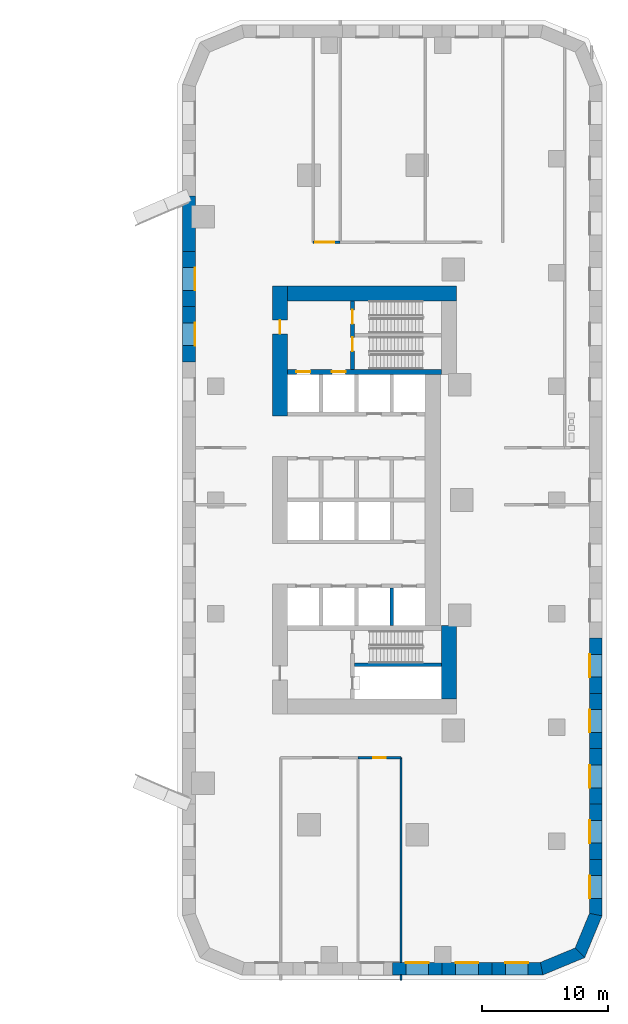
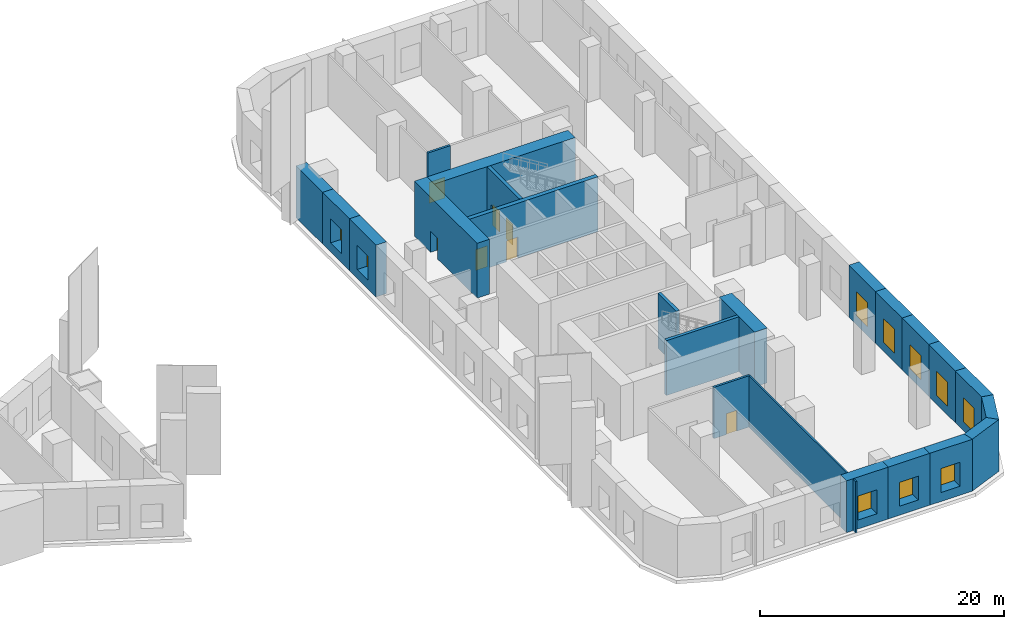
# One storey, part 4 of 13: 24 walls, 10 windows, 7 doors, 17 openings.
"""IFC4 building model written with IfcOpenShell, lengths in metres."""

import ifcopenshell
import ifcopenshell.guid

model = None  # the IFC model being written
_history = None  # IfcOwnerHistory: only IFC2X3 demands one
_inside = {}  # id of a spatial element -> (the spatial element, [elements in it])
_under = {}  # id of a project, library or spatial element -> (it, [spatial elements below it])
_declared = {}  # id of a project -> (the project, [libraries it declares])
_typed = {}  # id of a type object -> (the type object, [elements of that type])
_made_of = {}  # id of a material, layer set ... -> (it, [elements and type objects made of it])


def new_model(schema):
    """Start an empty IFC model of exactly this schema.

    Asked for "IFC4X3", IfcOpenShell would pick the latest addendum, in which some entities
    have other attributes; the version numbers below select the first issue.
    IFC2X3 requires an IfcOwnerHistory on every rooted entity: one is made here for all.
    """
    global model, _history
    if schema == "IFC4X3":
        model = ifcopenshell.file(schema_version=(4, 3, 0, 0))
    else:
        model = ifcopenshell.file(schema=schema)
    _inside.clear()
    _under.clear()
    _declared.clear()
    _typed.clear()
    _made_of.clear()
    _history = None
    if model.schema == "IFC2X3":
        org = make("IfcOrganization", Name="unknown")
        user = make(
            "IfcPersonAndOrganization",
            ThePerson=make("IfcPerson", FamilyName="unknown"),
            TheOrganization=org,
        )
        app = make(
            "IfcApplication",
            ApplicationDeveloper=org,
            Version="unknown",
            ApplicationFullName="unknown",
            ApplicationIdentifier="unknown",
        )
        _history = make(
            "IfcOwnerHistory",
            OwningUser=user,
            OwningApplication=app,
            ChangeAction="ADDED",
            CreationDate=0,
        )
    return model


def make(cls, **values):
    """One entity of the class cls with the attributes given. An attribute that is None is left unset."""
    return model.create_entity(
        cls, **{name: value for name, value in values.items() if value is not None}
    )


def rooted(cls, **values):
    """An entity with a GlobalId (a new one), such as an element, a storey or a relation."""
    return make(cls, GlobalId=ifcopenshell.guid.new(), OwnerHistory=_history, **values)


def si_unit(unit_type, name, prefix=None):
    """IfcSIUnit, for example si_unit("LENGTHUNIT", "METRE", prefix="MILLI")."""
    return make("IfcSIUnit", UnitType=unit_type, Prefix=prefix, Name=name)


def assignment(units):
    """IfcUnitAssignment: the units of a project."""
    return None if units is None else make("IfcUnitAssignment", Units=units)


def point(xyz):
    """IfcCartesianPoint."""
    return None if xyz is None else make("IfcCartesianPoint", Coordinates=xyz)


def direction(xyz):
    """IfcDirection."""
    return None if xyz is None else make("IfcDirection", DirectionRatios=xyz)


def frame(location, z_axis=None, x_axis=None):
    """IfcAxis2Placement3D, a coordinate frame: its origin and axes. An axis left out is left unset."""
    return make(
        "IfcAxis2Placement3D",
        Location=point(location),
        Axis=direction(z_axis),
        RefDirection=direction(x_axis),
    )


def frame_2d(location, x_axis=None):
    """IfcAxis2Placement2D, a coordinate frame in the plane: its origin and x axis."""
    return make(
        "IfcAxis2Placement2D", Location=point(location), RefDirection=direction(x_axis)
    )


def origin():
    """The frame at (0, 0, 0) with its axes left unset."""
    return frame((0.0, 0.0, 0.0))


def place(relative_to, where):
    """IfcLocalPlacement: puts the frame where relative to a parent placement (None: the world)."""
    return make(
        "IfcLocalPlacement", PlacementRelTo=relative_to, RelativePlacement=where
    )


def context(
    kind, dimensions, precision=None, world=None, true_north=None, identifier=None
):
    """IfcGeometricRepresentationContext, for example the 3D "Model" context."""
    return make(
        "IfcGeometricRepresentationContext",
        ContextIdentifier=identifier,
        ContextType=kind,
        CoordinateSpaceDimension=dimensions,
        Precision=precision,
        WorldCoordinateSystem=world,
        TrueNorth=true_north,
    )


def subcontext(parent, identifier, kind, view, scale=None):
    """IfcGeometricRepresentationSubContext, for example "Body" below "Model"."""
    return make(
        "IfcGeometricRepresentationSubContext",
        ContextIdentifier=identifier,
        ContextType=kind,
        ParentContext=parent,
        TargetScale=scale,
        TargetView=view,
    )


def project(units=None, contexts=None):
    """IfcProject with its units and contexts."""
    return rooted(
        "IfcProject",
        Name="project",
        RepresentationContexts=contexts,
        UnitsInContext=assignment(units),
    )


def spatial(cls, under=None, at=None, **own):
    """A site, building, storey or space (cls), placed at a placement, below another one or the project."""
    s = rooted(cls, ObjectPlacement=at, **own)
    if under is not None:
        _under.setdefault(under.id(), (under, []))[1].append(s)
    return s


def polyline(points):
    """IfcPolyline through the points."""
    return make("IfcPolyline", Points=[point(p) for p in points])


def profile(cls, at=None, kind="AREA", **sizes):
    """A parametric profile (cls). Its sizes go by their IFC names, for example OverallWidth=200.0."""
    return make(cls, ProfileType=kind, Position=at, **sizes)


def rectangle(**sizes):
    """IfcRectangleProfileDef."""
    return profile("IfcRectangleProfileDef", **sizes)


def outline(outer, holes=None, kind="AREA"):
    """IfcArbitraryClosedProfileDef: a profile drawn as a closed curve; with holes, ...WithVoids."""
    if holes is None:
        return make("IfcArbitraryClosedProfileDef", ProfileType=kind, OuterCurve=outer)
    return make(
        "IfcArbitraryProfileDefWithVoids",
        ProfileType=kind,
        OuterCurve=outer,
        InnerCurves=holes,
    )


def extrude(swept, where, along, depth):
    """IfcExtrudedAreaSolid: the profile swept, set in the frame where, extruded along a direction by depth."""
    return make(
        "IfcExtrudedAreaSolid",
        SweptArea=swept,
        Position=where,
        ExtrudedDirection=direction(along),
        Depth=depth,
    )


def shape(context_of_items, identifier, shape_type, items):
    """IfcShapeRepresentation: the items that make up one representation, for example the "Body"."""
    return make(
        "IfcShapeRepresentation",
        ContextOfItems=context_of_items,
        RepresentationIdentifier=identifier,
        RepresentationType=shape_type,
        Items=items,
    )


def material(Name=None, Category=None):
    """IfcMaterial."""
    return make("IfcMaterial", Name=Name, Category=Category)


def layer(
    of_material, thickness, ventilated=None, Name=None, Category=None, Priority=None
):
    """IfcMaterialLayer: one layer of a wall or slab, of a material (None: an air gap)."""
    return make(
        "IfcMaterialLayer",
        Material=of_material,
        LayerThickness=thickness,
        IsVentilated=ventilated,
        Name=Name,
        Category=Category,
        Priority=Priority,
    )


def layer_set(layers, Name=None):
    """IfcMaterialLayerSet."""
    return make("IfcMaterialLayerSet", MaterialLayers=layers, LayerSetName=Name)


def made_of(thing, what):
    """Note that an element or type object is made of a material, layer set ...; save() writes the relation."""
    if what is not None:
        _made_of.setdefault(what.id(), (what, []))[1].append(thing)
    return thing


def type_object(cls, material=None, **own):
    """A type object (cls), such as IfcWallType, which elements share."""
    return made_of(rooted(cls, **own), material)


def element(
    cls,
    number,
    at=None,
    inside=None,
    cuts=None,
    type_object=None,
    material=None,
    context=None,
    identifier="Body",
    shape_type=None,
    held_by="IfcProductDefinitionShape",
    body=None,
    shapes=None,
    **own,
):
    """One element of the class cls, such as IfcWall. Its Tag is "e" and its number.

    at: its placement. inside: the storey or other place that contains it. cuts: it is an
    opening in that element (IfcRelVoidsElement). A single representation is given by context,
    identifier, shape_type and body (its items); several are given by shapes. held_by: the class
    of the entity that holds the representations. save() writes the other relations.
    """
    e = rooted(cls, Tag="e%d" % number, ObjectPlacement=at, **own)
    if body is not None:
        shapes = [shape(context, identifier, shape_type, body)]
    if shapes is not None:
        e.Representation = make(held_by, Representations=shapes)
    if inside is not None:
        _inside.setdefault(inside.id(), (inside, []))[1].append(e)
    if cuts is not None:
        rooted(
            "IfcRelVoidsElement", RelatingBuildingElement=cuts, RelatedOpeningElement=e
        )
    if type_object is not None:
        _typed.setdefault(type_object.id(), (type_object, []))[1].append(e)
    return made_of(e, material)


def fill(opening, filler):
    """IfcRelFillsElement: the door or window that sits in an opening."""
    return rooted(
        "IfcRelFillsElement",
        RelatingOpeningElement=opening,
        RelatedBuildingElement=filler,
    )


def aggregate(whole, parts):
    """IfcRelAggregates: a whole, such as a stair, and the parts it consists of."""
    return rooted("IfcRelAggregates", RelatingObject=whole, RelatedObjects=parts)


def save(model, path):
    """Write the relations noted so far, then the file.

    IfcRelAggregates (storeys below a building ...), IfcRelContainedInSpatialStructure (elements
    in a storey), IfcRelDefinesByType, IfcRelAssociatesMaterial and IfcRelDeclares: one each for
    every whole, place, type object, material and project.
    """
    for whole, parts in _under.values():
        aggregate(whole, parts)
    for where, things in _inside.values():
        rooted(
            "IfcRelContainedInSpatialStructure",
            RelatedElements=things,
            RelatingStructure=where,
        )
    for kind, things in _typed.values():
        rooted("IfcRelDefinesByType", RelatedObjects=things, RelatingType=kind)
    for what, things in _made_of.values():
        rooted("IfcRelAssociatesMaterial", RelatedObjects=things, RelatingMaterial=what)
    for by, libraries in _declared.values():
        rooted("IfcRelDeclares", RelatingContext=by, RelatedDefinitions=libraries)
    model.write(path)


model = new_model("IFC4")

# Units and contexts
model_context = context("Model", 3, precision=1e-05, world=origin(), true_north=direction((0.0, 1.0)))
body_context = subcontext(model_context, "Body", "Model", "MODEL_VIEW")
ifc_project = project(units=[si_unit("LENGTHUNIT", "METRE"), si_unit("AREAUNIT", "SQUARE_METRE"), si_unit("VOLUMEUNIT", "CUBIC_METRE"), si_unit("PLANEANGLEUNIT", "RADIAN"), si_unit("MASSUNIT", "GRAM", prefix="KILO")], contexts=[model_context])

# Site, building, storey
site_placement = place(None, origin())
site = spatial("IfcSite", under=ifc_project, at=site_placement, CompositionType="ELEMENT")
building_placement = place(site_placement, origin())
building = spatial("IfcBuilding", under=site, at=building_placement, Name="Ostrand Prow Hotel Tower", CompositionType="ELEMENT")
storey_placement = place(building_placement, frame((0.0, 0.0, 13.5)))
storey = spatial("IfcBuildingStorey", under=building, at=storey_placement, Name="L02", CompositionType="ELEMENT", Elevation=13.5)

# Wall, opening, door
ifc_material_1 = material(Name="Concrete C80/95", Category="concrete")
ifc_layer_1 = layer(ifc_material_1, 1.199951171875)
ifc_layer_set_1 = layer_set([ifc_layer_1], Name="Concrete C80/95")
wall_type_1 = type_object("IfcWallType", Name="Core wall 1200 C80/95", PredefinedType="SHEAR", material=ifc_layer_set_1)
wall_1_placement = place(storey_placement, frame((50.10009765625, 6.64990234375, 0.0), z_axis=(0.0, 0.0, 1.0), x_axis=(0.0, 1.0, 0.0)))
wall_1 = element("IfcWall", 1, at=wall_1_placement, inside=storey, type_object=wall_type_1, Name="Core wall CW-W-N", PredefinedType="SHEAR", context=body_context, shape_type="SweptSolid", body=[
    extrude(rectangle(XDim=10.300048828125, YDim=1.199951171875, at=frame_2d((5.14990234375, 0.0))), origin(), (0.0, 0.0, 1.0), 5.5),
])
opening_1_placement = place(wall_1_placement, frame((6.5, 0.0, 0.0)))
opening_1 = element("IfcOpeningElement", 2, at=opening_1_placement, cuts=wall_1, Name="Opening FD1", PredefinedType="OPENING", context=body_context, shape_type="SweptSolid", body=[
    extrude(rectangle(XDim=1.10009765625, YDim=2.10009765625, at=frame_2d((0.550048828125, 1.050048828125))), frame((0.0, 0.60986328125, 0.0), z_axis=(0.0, -1.0, 0.0), x_axis=(1.0, 0.0, 0.0)), (0.0, 0.0, 1.0), 1.219970703125),
])
ifc_material_2 = material(Name="Steel fire door", Category="steel")
door_type_1 = type_object("IfcDoorType", Name="Fire door 1100 EI120", OperationType="SINGLE_SWING_RIGHT", PredefinedType="DOOR", material=ifc_material_2)
door_1_placement = place(opening_1_placement, origin())
door_1 = element("IfcDoor", 3, at=door_1_placement, inside=storey, type_object=door_type_1, Name="FIRE DOOR", OperationType="SINGLE_SWING_RIGHT", OverallHeight=2.10009765625, OverallWidth=1.10009765625, PredefinedType="DOOR", context=body_context, shape_type="SweptSolid", body=[
    extrude(rectangle(XDim=1.10009765625, YDim=2.10009765625, at=frame_2d((0.550048828125, 1.050048828125))), frame((0.0, 0.02490234375, 0.0), z_axis=(0.0, -1.0, 0.0), x_axis=(1.0, 0.0, 0.0)), (0.0, 0.0, 1.0), 0.050048828125),
])
fill(opening_1, door_1)

# Walls
wall_2_placement = place(storey_placement, frame((50.699951171875, 16.35009765625, 0.0), z_axis=(0.0, 0.0, 1.0), x_axis=(1.0, 0.0, 0.0)))
element("IfcWall", 4, at=wall_2_placement, inside=storey, type_object=wall_type_1, Name="Core wall CW-N", PredefinedType="SHEAR", context=body_context, shape_type="SweptSolid", body=[
    extrude(rectangle(XDim=13.380126953125, YDim=1.199951171875, at=frame_2d((6.68994140625, 0.0))), origin(), (0.0, 0.0, 1.0), 5.5),
])
wall_3_placement = place(storey_placement, frame((63.47998046875, -15.75, 0.0), z_axis=(0.0, 0.0, 1.0), x_axis=(0.0, 1.0, 0.0)))
element("IfcWall", 5, at=wall_3_placement, inside=storey, type_object=wall_type_1, Name="Core wall CW-E-S", PredefinedType="SHEAR", context=body_context, shape_type="SweptSolid", body=[
    extrude(rectangle(XDim=5.800048828125, YDim=1.199951171875, at=frame_2d((2.89990234375, 0.0))), origin(), (0.0, 0.0, 1.0), 5.5),
])
ifc_material_3 = material(Name="Concrete C80/95", Category="concrete")
ifc_layer_2 = layer(ifc_material_3, 0.300048828125)
ifc_layer_set_2 = layer_set([ifc_layer_2], Name="Concrete C80/95")
wall_type_2 = type_object("IfcWallType", Name="Core wall 300 C80/95", PredefinedType="SHEAR", material=ifc_layer_set_2)
wall_4_placement = place(storey_placement, frame((58.949951171875, -9.949951171875, 0.0), z_axis=(0.0, 0.0, 1.0), x_axis=(0.0, 1.0, 0.0)))
element("IfcWall", 6, at=wall_4_placement, inside=storey, type_object=wall_type_2, Name="Core wall PW-R3-SA", PredefinedType="SHEAR", context=body_context, shape_type="SweptSolid", body=[
    extrude(rectangle(XDim=3.0, YDim=0.300048828125, at=frame_2d((1.5, 0.0))), origin(), (0.0, 0.0, 1.0), 5.5),
])

# Wall, openings, doors
wall_5_placement = place(storey_placement, frame((55.85009765625, 10.35009765625, 0.0), z_axis=(0.0, 0.0, 1.0), x_axis=(0.0, 1.0, 0.0)))
wall_5 = element("IfcWall", 7, at=wall_5_placement, inside=storey, type_object=wall_type_2, Name="Core wall PW-VN", PredefinedType="SHEAR", context=body_context, shape_type="SweptSolid", body=[
    extrude(rectangle(XDim=5.39990234375, YDim=0.300048828125, at=frame_2d((2.699951171875, 0.0))), origin(), (0.0, 0.0, 1.0), 5.5),
])
opening_2_placement = place(wall_5_placement, frame((1.429931640625, 0.0, 0.0)))
opening_2 = element("IfcOpeningElement", 8, at=opening_2_placement, cuts=wall_5, Name="Opening FD1", PredefinedType="OPENING", context=body_context, shape_type="SweptSolid", body=[
    extrude(rectangle(XDim=1.10009765625, YDim=2.10009765625, at=frame_2d((0.550048828125, 1.050048828125))), frame((0.0, 0.159912109375, 0.0), z_axis=(0.0, -1.0, 0.0), x_axis=(1.0, 0.0, 0.0)), (0.0, 0.0, 1.0), 0.320068359375),
])
opening_3_placement = place(wall_5_placement, frame((3.60009765625, 0.0, 0.0)))
opening_3 = element("IfcOpeningElement", 9, at=opening_3_placement, cuts=wall_5, Name="Opening FD1", PredefinedType="OPENING", context=body_context, shape_type="SweptSolid", body=[
    extrude(rectangle(XDim=1.10009765625, YDim=2.10009765625, at=frame_2d((0.550048828125, 1.050048828125))), frame((0.0, 0.159912109375, 0.0), z_axis=(0.0, -1.0, 0.0), x_axis=(1.0, 0.0, 0.0)), (0.0, 0.0, 1.0), 0.320068359375),
])
door_2_placement = place(opening_2_placement, origin())
door_2 = element("IfcDoor", 10, at=door_2_placement, inside=storey, type_object=door_type_1, Name="FIRE DOOR", OperationType="SINGLE_SWING_RIGHT", OverallHeight=2.10009765625, OverallWidth=1.10009765625, PredefinedType="DOOR", context=body_context, shape_type="SweptSolid", body=[
    extrude(rectangle(XDim=1.10009765625, YDim=2.10009765625, at=frame_2d((0.550048828125, 1.050048828125))), frame((0.0, 0.02490234375, 0.0), z_axis=(0.0, -1.0, 0.0), x_axis=(1.0, 0.0, 0.0)), (0.0, 0.0, 1.0), 0.050048828125),
])
fill(opening_2, door_2)
door_3_placement = place(opening_3_placement, origin())
door_3 = element("IfcDoor", 11, at=door_3_placement, inside=storey, type_object=door_type_1, Name="FIRE DOOR", OperationType="SINGLE_SWING_RIGHT", OverallHeight=2.10009765625, OverallWidth=1.10009765625, PredefinedType="DOOR", context=body_context, shape_type="SweptSolid", body=[
    extrude(rectangle(XDim=1.10009765625, YDim=2.10009765625, at=frame_2d((0.550048828125, 1.050048828125))), frame((0.0, 0.02490234375, 0.0), z_axis=(0.0, -1.0, 0.0), x_axis=(1.0, 0.0, 0.0)), (0.0, 0.0, 1.0), 0.050048828125),
])
fill(opening_3, door_3)

# Wall
wall_6_placement = place(storey_placement, frame((56.0, -13.050048828125, 0.0), z_axis=(0.0, 0.0, 1.0), x_axis=(1.0, 0.0, 0.0)))
element("IfcWall", 12, at=wall_6_placement, inside=storey, type_object=wall_type_2, Name="Core wall PW-ST2R", PredefinedType="SHEAR", context=body_context, shape_type="SweptSolid", body=[
    extrude(rectangle(XDim=6.8798828125, YDim=0.300048828125, at=frame_2d((3.43994140625, 0.0))), origin(), (0.0, 0.0, 1.0), 5.5),
])

# Wall, openings, doors
ifc_material_4 = material(Name="Concrete C80/95", Category="concrete")
ifc_layer_3 = layer(ifc_material_4, 0.39990234375)
ifc_layer_set_3 = layer_set([ifc_layer_3], Name="Concrete C80/95")
wall_type_3 = type_object("IfcWallType", Name="Core wall 400 C80/95", PredefinedType="SHEAR", material=ifc_layer_set_3)
wall_7_placement = place(storey_placement, frame((50.699951171875, 10.14990234375, 0.0), z_axis=(0.0, 0.0, 1.0), x_axis=(1.0, 0.0, 0.0)))
wall_7 = element("IfcWall", 13, at=wall_7_placement, inside=storey, type_object=wall_type_3, Name="Core wall PW-BN", PredefinedType="SHEAR", context=body_context, shape_type="SweptSolid", body=[
    extrude(rectangle(XDim=12.179931640625, YDim=0.39990234375, at=frame_2d((6.08984375, 0.0))), origin(), (0.0, 0.0, 1.0), 5.5),
])
opening_4_placement = place(wall_7_placement, frame((0.699951171875, 0.0, 0.0)))
opening_4 = element("IfcOpeningElement", 14, at=opening_4_placement, cuts=wall_7, Name="Opening LD", PredefinedType="OPENING", context=body_context, shape_type="SweptSolid", body=[
    extrude(rectangle(XDim=1.10009765625, YDim=2.10009765625, at=frame_2d((0.550048828125, 1.050048828125))), frame((0.0, 0.2099609375, 0.0), z_axis=(0.0, -1.0, 0.0), x_axis=(1.0, 0.0, 0.0)), (0.0, 0.0, 1.0), 0.419921875),
])
opening_5_placement = place(wall_7_placement, frame((3.5, 0.0, 0.0)))
opening_5 = element("IfcOpeningElement", 15, at=opening_5_placement, cuts=wall_7, Name="Opening LD", PredefinedType="OPENING", context=body_context, shape_type="SweptSolid", body=[
    extrude(rectangle(XDim=1.10009765625, YDim=2.10009765625, at=frame_2d((0.550048828125, 1.050048828125))), frame((0.0, 0.2099609375, 0.0), z_axis=(0.0, -1.0, 0.0), x_axis=(1.0, 0.0, 0.0)), (0.0, 0.0, 1.0), 0.419921875),
])
ifc_material_5 = material(Name="Stainless steel door", Category="steel")
door_type_2 = type_object("IfcDoorType", Name="Lift landing door 1100", OperationType="DOUBLE_DOOR_SLIDING", PredefinedType="DOOR", material=ifc_material_5)
door_4_placement = place(opening_4_placement, origin())
door_4 = element("IfcDoor", 16, at=door_4_placement, inside=storey, type_object=door_type_2, Name="LIFT LANDING DOOR", OperationType="DOUBLE_DOOR_SLIDING", OverallHeight=2.10009765625, OverallWidth=1.10009765625, PredefinedType="DOOR", context=body_context, shape_type="SweptSolid", body=[
    extrude(rectangle(XDim=1.10009765625, YDim=2.10009765625, at=frame_2d((0.550048828125, 1.050048828125))), frame((0.0, 0.02490234375, 0.0), z_axis=(0.0, -1.0, 0.0), x_axis=(1.0, 0.0, 0.0)), (0.0, 0.0, 1.0), 0.050048828125),
])
fill(opening_4, door_4)
door_5_placement = place(opening_5_placement, origin())
door_5 = element("IfcDoor", 17, at=door_5_placement, inside=storey, type_object=door_type_2, Name="LIFT LANDING DOOR", OperationType="DOUBLE_DOOR_SLIDING", OverallHeight=2.10009765625, OverallWidth=1.10009765625, PredefinedType="DOOR", context=body_context, shape_type="SweptSolid", body=[
    extrude(rectangle(XDim=1.10009765625, YDim=2.10009765625, at=frame_2d((0.550048828125, 1.050048828125))), frame((0.0, 0.02490234375, 0.0), z_axis=(0.0, -1.0, 0.0), x_axis=(1.0, 0.0, 0.0)), (0.0, 0.0, 1.0), 0.050048828125),
])
fill(opening_5, door_5)

# Walls
ifc_material_6 = material(Name="Plasterboard partition")
ifc_layer_4 = layer(ifc_material_6, 0.14990234375)
ifc_layer_set_4 = layer_set([ifc_layer_4], Name="Plasterboard partition")
wall_type_4 = type_object("IfcWallType", Name="Partition 150 room partition", PredefinedType="PARTITIONING", material=ifc_layer_set_4)
wall_8_placement = place(storey_placement, frame((59.679931640625, -38.0, 0.0), z_axis=(0.0, 0.0, 1.0), x_axis=(0.0, 1.0, 0.0)))
element("IfcWall", 18, at=wall_8_placement, inside=storey, type_object=wall_type_4, Name="ROOM PARTITION", PredefinedType="PARTITIONING", context=body_context, shape_type="SweptSolid", body=[
    extrude(rectangle(XDim=0.39990234375, YDim=0.14990234375, at=frame_2d((0.199951171875, 0.0))), origin(), (0.0, 0.0, 1.0), 5.14990234375),
])
wall_9_placement = place(storey_placement, frame((59.679931640625, -36.60009765625, 0.0), z_axis=(0.0, 0.0, 1.0), x_axis=(0.0, 1.0, 0.0)))
element("IfcWall", 19, at=wall_9_placement, inside=storey, type_object=wall_type_4, Name="ROOM PARTITION", PredefinedType="PARTITIONING", context=body_context, shape_type="SweptSolid", body=[
    extrude(rectangle(XDim=16.2001953125, YDim=0.14990234375, at=frame_2d((8.10009765625, 0.0))), origin(), (0.0, 0.0, 1.0), 5.14990234375),
])

# Wall, opening, door
ifc_material_7 = material(Name="Plasterboard partition")
ifc_layer_5 = layer(ifc_material_7, 0.199951171875)
ifc_layer_set_5 = layer_set([ifc_layer_5], Name="Plasterboard partition")
wall_type_5 = type_object("IfcWallType", Name="Partition 200 corridor wall", PredefinedType="PARTITIONING", material=ifc_layer_set_5)
wall_10_placement = place(storey_placement, frame((56.280029296875, -20.39990234375, 0.0), z_axis=(0.0, 0.0, 1.0), x_axis=(1.0, 0.0, 0.0)))
wall_10 = element("IfcWall", 20, at=wall_10_placement, inside=storey, type_object=wall_type_5, Name="CORRIDOR WALL", PredefinedType="PARTITIONING", context=body_context, shape_type="SweptSolid", body=[
    extrude(rectangle(XDim=3.39990234375, YDim=0.199951171875, at=frame_2d((1.699951171875, 0.0))), origin(), (0.0, 0.0, 1.0), 5.14990234375),
])
opening_6_placement = place(wall_10_placement, frame((1.199951171875, 0.0, 0.0)))
opening_6 = element("IfcOpeningElement", 21, at=opening_6_placement, cuts=wall_10, Name="Opening D1", PredefinedType="OPENING", context=body_context, shape_type="SweptSolid", body=[
    extrude(rectangle(XDim=1.0, YDim=2.10009765625, at=frame_2d((0.5, 1.050048828125))), frame((0.0, 0.10986328125, 0.0), z_axis=(0.0, -1.0, 0.0), x_axis=(1.0, 0.0, 0.0)), (0.0, 0.0, 1.0), 0.219970703125),
])
ifc_material_8 = material(Name="Timber door leaf", Category="wood")
door_type_3 = type_object("IfcDoorType", Name="Guest room door 1000", OperationType="SINGLE_SWING_LEFT", PredefinedType="DOOR", material=ifc_material_8)
door_6_placement = place(opening_6_placement, origin())
door_6 = element("IfcDoor", 22, at=door_6_placement, inside=storey, type_object=door_type_3, Name="DOOR", OperationType="SINGLE_SWING_LEFT", OverallHeight=2.10009765625, OverallWidth=1.0, PredefinedType="DOOR", context=body_context, shape_type="SweptSolid", body=[
    extrude(rectangle(XDim=1.0, YDim=2.10009765625, at=frame_2d((0.5, 1.050048828125))), frame((0.0, 0.02490234375, 0.0), z_axis=(0.0, -1.0, 0.0), x_axis=(1.0, 0.0, 0.0)), (0.0, 0.0, 1.0), 0.050048828125),
])
fill(opening_6, door_6)

wall_11_placement = place(storey_placement, frame((54.864990234375, 20.39990234375, 0.0), z_axis=(0.0, 0.0, 1.0), x_axis=(-1.0, 0.0, 0.0)))
wall_11 = element("IfcWall", 23, at=wall_11_placement, inside=storey, type_object=wall_type_5, Name="CORRIDOR WALL", PredefinedType="PARTITIONING", context=body_context, shape_type="SweptSolid", body=[
    extrude(rectangle(XDim=2.144287109375, YDim=0.199951171875, at=frame_2d((1.072265625, 0.0))), origin(), (0.0, 0.0, 1.0), 5.14990234375),
])
opening_7_placement = place(wall_11_placement, frame((0.47216796875, 0.0, 0.0)))
opening_7 = element("IfcOpeningElement", 24, at=opening_7_placement, cuts=wall_11, Name="Opening D15", PredefinedType="OPENING", context=body_context, shape_type="SweptSolid", body=[
    extrude(rectangle(XDim=1.5, YDim=2.10009765625, at=frame_2d((0.75, 1.050048828125))), frame((0.0, 0.10986328125, 0.0), z_axis=(0.0, -1.0, 0.0), x_axis=(1.0, 0.0, 0.0)), (0.0, 0.0, 1.0), 0.219970703125),
])
ifc_material_9 = material(Name="Timber door leaf", Category="wood")
door_type_4 = type_object("IfcDoorType", Name="Double door 1500", OperationType="DOUBLE_DOOR_SINGLE_SWING", PredefinedType="DOOR", material=ifc_material_9)
door_7_placement = place(opening_7_placement, origin())
door_7 = element("IfcDoor", 25, at=door_7_placement, inside=storey, type_object=door_type_4, Name="DOOR", OperationType="DOUBLE_DOOR_SINGLE_SWING", OverallHeight=2.10009765625, OverallWidth=1.5, PredefinedType="DOOR", context=body_context, shape_type="SweptSolid", body=[
    extrude(rectangle(XDim=1.5, YDim=2.10009765625, at=frame_2d((0.75, 1.050048828125))), frame((0.0, 0.02490234375, 0.0), z_axis=(0.0, -1.0, 0.0), x_axis=(1.0, 0.0, 0.0)), (0.0, 0.0, 1.0), 0.050048828125),
])
fill(opening_7, door_7)

# Wall, opening, window
ifc_material_10 = material(Name="Precast concrete C40/50", Category="concrete")
ifc_layer_6 = layer(ifc_material_10, 1.0)
ifc_layer_set_6 = layer_set([ifc_layer_6], Name="Precast concrete C40/50")
wall_type_6 = type_object("IfcWallType", Name="Portal pier wall 1000 mm", PredefinedType="NOTDEFINED", material=ifc_layer_set_6)
wall_12_placement = place(storey_placement, frame((59.0, -37.10009765625, 0.0), z_axis=(0.0, 0.0, 1.0), x_axis=(1.0, 0.0, 0.0)))
wall_12 = element("IfcWall", 26, at=wall_12_placement, inside=storey, type_object=wall_type_6, Name="Portal pier wall L02-PP103", PredefinedType="NOTDEFINED", context=body_context, shape_type="SweptSolid", body=[
    extrude(outline(polyline([(0.0, -0.5), (3.940185546875, -0.5), (3.940185546875, 0.5), (0.0, 0.5), (0.0, -0.5)])), origin(), (0.0, 0.0, 1.0), 5.199951171875),
])
opening_8_placement = place(wall_12_placement, frame((1.0703125, 0.0, 0.89990234375)))
opening_8 = element("IfcOpeningElement", 27, at=opening_8_placement, cuts=wall_12, Name="Opening WP2", PredefinedType="OPENING", context=body_context, shape_type="SweptSolid", body=[
    extrude(rectangle(XDim=1.800048828125, YDim=2.39990234375, at=frame_2d((0.89990234375, 1.199951171875))), frame((0.0, 0.510009765625, 0.0), z_axis=(0.0, -1.0, 0.0), x_axis=(1.0, 0.0, 0.0)), (0.0, 0.0, 1.0), 1.02001953125),
])
ifc_material_11 = material(Name="Insulated glass in bronze anodised frame", Category="glass")
window_type = type_object("IfcWindowType", Name="Portal window 1800x2400", PartitioningType="SINGLE_PANEL", PredefinedType="WINDOW", material=ifc_material_11)
window_1_placement = place(opening_8_placement, origin())
window_1 = element("IfcWindow", 28, at=window_1_placement, inside=storey, type_object=window_type, Name="Portal window L02-PP103", OverallHeight=2.39990234375, OverallWidth=1.800048828125, PartitioningType="SINGLE_PANEL", PredefinedType="WINDOW", context=body_context, shape_type="SweptSolid", body=[
    extrude(rectangle(XDim=1.800048828125, YDim=2.39990234375, at=frame_2d((0.89990234375, 1.199951171875))), frame((0.0, 0.5, 0.0), z_axis=(0.0, -1.0, 0.0), x_axis=(1.0, 0.0, 0.0)), (0.0, 0.0, 1.0), 0.06005859375),
])
fill(opening_8, window_1)

wall_13_placement = place(storey_placement, frame((62.940185546875, -37.10009765625, 0.0), z_axis=(0.0, 0.0, 1.0), x_axis=(1.0, 0.0, 0.0)))
wall_13 = element("IfcWall", 29, at=wall_13_placement, inside=storey, type_object=wall_type_6, Name="Portal pier wall L02-PP104", PredefinedType="NOTDEFINED", context=body_context, shape_type="SweptSolid", body=[
    extrude(outline(polyline([(0.0, -0.5), (3.9404296875, -0.5), (3.9404296875, 0.5), (0.0, 0.5), (0.0, -0.5)])), origin(), (0.0, 0.0, 1.0), 5.199951171875),
])
opening_9_placement = place(wall_13_placement, frame((1.0703125, 0.0, 0.89990234375)))
opening_9 = element("IfcOpeningElement", 30, at=opening_9_placement, cuts=wall_13, Name="Opening WP2", PredefinedType="OPENING", context=body_context, shape_type="SweptSolid", body=[
    extrude(rectangle(XDim=1.800048828125, YDim=2.39990234375, at=frame_2d((0.89990234375, 1.199951171875))), frame((0.0, 0.510009765625, 0.0), z_axis=(0.0, -1.0, 0.0), x_axis=(1.0, 0.0, 0.0)), (0.0, 0.0, 1.0), 1.02001953125),
])
window_2_placement = place(opening_9_placement, origin())
window_2 = element("IfcWindow", 31, at=window_2_placement, inside=storey, type_object=window_type, Name="Portal window L02-PP104", OverallHeight=2.39990234375, OverallWidth=1.800048828125, PartitioningType="SINGLE_PANEL", PredefinedType="WINDOW", context=body_context, shape_type="SweptSolid", body=[
    extrude(rectangle(XDim=1.800048828125, YDim=2.39990234375, at=frame_2d((0.89990234375, 1.199951171875))), frame((0.0, 0.5, 0.0), z_axis=(0.0, -1.0, 0.0), x_axis=(1.0, 0.0, 0.0)), (0.0, 0.0, 1.0), 0.06005859375),
])
fill(opening_9, window_2)

wall_14_placement = place(storey_placement, frame((66.880615234375, -37.10009765625, 0.0), z_axis=(0.0, 0.0, 1.0), x_axis=(1.0, 0.0, 0.0)))
wall_14 = element("IfcWall", 32, at=wall_14_placement, inside=storey, type_object=wall_type_6, Name="Portal pier wall L02-PP105", PredefinedType="NOTDEFINED", context=body_context, shape_type="SweptSolid", body=[
    extrude(outline(polyline([(0.0, -0.5), (4.0400390625, -0.5), (3.8408203125, 0.5), (0.0, 0.5), (0.0, -0.5)])), origin(), (0.0, 0.0, 1.0), 5.199951171875),
])
opening_10_placement = place(wall_14_placement, frame((1.0703125, 0.0, 0.89990234375)))
opening_10 = element("IfcOpeningElement", 33, at=opening_10_placement, cuts=wall_14, Name="Opening WP2", PredefinedType="OPENING", context=body_context, shape_type="SweptSolid", body=[
    extrude(rectangle(XDim=1.800048828125, YDim=2.39990234375, at=frame_2d((0.89990234375, 1.199951171875))), frame((0.0, 0.510009765625, 0.0), z_axis=(0.0, -1.0, 0.0), x_axis=(1.0, 0.0, 0.0)), (0.0, 0.0, 1.0), 1.02001953125),
])
window_3_placement = place(opening_10_placement, origin())
window_3 = element("IfcWindow", 34, at=window_3_placement, inside=storey, type_object=window_type, Name="Portal window L02-PP105", OverallHeight=2.39990234375, OverallWidth=1.800048828125, PartitioningType="SINGLE_PANEL", PredefinedType="WINDOW", context=body_context, shape_type="SweptSolid", body=[
    extrude(rectangle(XDim=1.800048828125, YDim=2.39990234375, at=frame_2d((0.89990234375, 1.199951171875))), frame((0.0, 0.5, 0.0), z_axis=(0.0, -1.0, 0.0), x_axis=(1.0, 0.0, 0.0)), (0.0, 0.0, 1.0), 0.06005859375),
])
fill(opening_10, window_3)

# Walls
wall_15_placement = place(storey_placement, frame((70.821044921875, -37.10009765625, 0.0), z_axis=(0.0, 0.0, 1.0), x_axis=(0.923862365102, 0.382724875529, 0.0)))
element("IfcWall", 35, at=wall_15_placement, inside=storey, type_object=wall_type_6, Name="Portal pier wall L02-PP106", PredefinedType="NOTDEFINED", context=body_context, shape_type="SweptSolid", body=[
    extrude(outline(polyline([(-0.099609375, -0.5), (3.48193359375, -0.5), (3.06787109375, 0.5), (0.099609375, 0.5), (-0.099609375, -0.5)])), origin(), (0.0, 0.0, 1.0), 5.199951171875),
])
wall_16_placement = place(storey_placement, frame((73.8466796875, -35.8466796875, 0.0), z_axis=(0.0, 0.0, 1.0), x_axis=(0.382724875529, 0.923862365102, 0.0)))
element("IfcWall", 36, at=wall_16_placement, inside=storey, type_object=wall_type_6, Name="Portal pier wall L02-PP107", PredefinedType="NOTDEFINED", context=body_context, shape_type="SweptSolid", body=[
    extrude(outline(polyline([(-0.20703125, -0.5), (3.37451171875, -0.5), (3.17529296875, 0.5), (0.20703125, 0.5), (-0.20703125, -0.5)])), origin(), (0.0, 0.0, 1.0), 5.199951171875),
])

# Wall, opening, window
wall_17_placement = place(storey_placement, frame((75.10009765625, -32.821044921875, 0.0), z_axis=(0.0, 0.0, 1.0), x_axis=(0.0, 1.0, 0.0)))
wall_17 = element("IfcWall", 37, at=wall_17_placement, inside=storey, type_object=wall_type_6, Name="Portal pier wall L02-PP108", PredefinedType="NOTDEFINED", context=body_context, shape_type="SweptSolid", body=[
    extrude(outline(polyline([(-0.099609375, -0.5), (4.376220703125, -0.5), (4.376220703125, 0.5), (0.099609375, 0.5), (-0.099609375, -0.5)])), origin(), (0.0, 0.0, 1.0), 5.199951171875),
])
opening_11_placement = place(wall_17_placement, frame((1.2880859375, 0.0, 0.89990234375)))
opening_11 = element("IfcOpeningElement", 38, at=opening_11_placement, cuts=wall_17, Name="Opening WP2", PredefinedType="OPENING", context=body_context, shape_type="SweptSolid", body=[
    extrude(rectangle(XDim=1.800048828125, YDim=2.39990234375, at=frame_2d((0.89990234375, 1.199951171875))), frame((0.0, 0.510009765625, 0.0), z_axis=(0.0, -1.0, 0.0), x_axis=(1.0, 0.0, 0.0)), (0.0, 0.0, 1.0), 1.02001953125),
])
window_4_placement = place(opening_11_placement, origin())
window_4 = element("IfcWindow", 39, at=window_4_placement, inside=storey, type_object=window_type, Name="Portal window L02-PP108", OverallHeight=2.39990234375, OverallWidth=1.800048828125, PartitioningType="SINGLE_PANEL", PredefinedType="WINDOW", context=body_context, shape_type="SweptSolid", body=[
    extrude(rectangle(XDim=1.800048828125, YDim=2.39990234375, at=frame_2d((0.89990234375, 1.199951171875))), frame((0.0, 0.5, 0.0), z_axis=(0.0, -1.0, 0.0), x_axis=(1.0, 0.0, 0.0)), (0.0, 0.0, 1.0), 0.06005859375),
])
fill(opening_11, window_4)

wall_18_placement = place(storey_placement, frame((75.10009765625, -28.44482421875, 0.0), z_axis=(0.0, 0.0, 1.0), x_axis=(0.0, 1.0, 0.0)))
wall_18 = element("IfcWall", 40, at=wall_18_placement, inside=storey, type_object=wall_type_6, Name="Portal pier wall L02-PP109", PredefinedType="NOTDEFINED", context=body_context, shape_type="SweptSolid", body=[
    extrude(outline(polyline([(0.0, -0.5), (4.376220703125, -0.5), (4.376220703125, 0.5), (0.0, 0.5), (0.0, -0.5)])), origin(), (0.0, 0.0, 1.0), 5.199951171875),
])
opening_12_placement = place(wall_18_placement, frame((1.2880859375, 0.0, 0.89990234375)))
opening_12 = element("IfcOpeningElement", 41, at=opening_12_placement, cuts=wall_18, Name="Opening WP2", PredefinedType="OPENING", context=body_context, shape_type="SweptSolid", body=[
    extrude(rectangle(XDim=1.800048828125, YDim=2.39990234375, at=frame_2d((0.89990234375, 1.199951171875))), frame((0.0, 0.510009765625, 0.0), z_axis=(0.0, -1.0, 0.0), x_axis=(1.0, 0.0, 0.0)), (0.0, 0.0, 1.0), 1.02001953125),
])
window_5_placement = place(opening_12_placement, origin())
window_5 = element("IfcWindow", 42, at=window_5_placement, inside=storey, type_object=window_type, Name="Portal window L02-PP109", OverallHeight=2.39990234375, OverallWidth=1.800048828125, PartitioningType="SINGLE_PANEL", PredefinedType="WINDOW", context=body_context, shape_type="SweptSolid", body=[
    extrude(rectangle(XDim=1.800048828125, YDim=2.39990234375, at=frame_2d((0.89990234375, 1.199951171875))), frame((0.0, 0.5, 0.0), z_axis=(0.0, -1.0, 0.0), x_axis=(1.0, 0.0, 0.0)), (0.0, 0.0, 1.0), 0.06005859375),
])
fill(opening_12, window_5)

wall_19_placement = place(storey_placement, frame((75.10009765625, -24.068603515625, 0.0), z_axis=(0.0, 0.0, 1.0), x_axis=(0.0, 1.0, 0.0)))
wall_19 = element("IfcWall", 43, at=wall_19_placement, inside=storey, type_object=wall_type_6, Name="Portal pier wall L02-PP110", PredefinedType="NOTDEFINED", context=body_context, shape_type="SweptSolid", body=[
    extrude(outline(polyline([(0.0, -0.5), (4.3759765625, -0.5), (4.3759765625, 0.5), (0.0, 0.5), (0.0, -0.5)])), origin(), (0.0, 0.0, 1.0), 5.199951171875),
])
opening_13_placement = place(wall_19_placement, frame((1.2880859375, 0.0, 0.89990234375)))
opening_13 = element("IfcOpeningElement", 44, at=opening_13_placement, cuts=wall_19, Name="Opening WP2", PredefinedType="OPENING", context=body_context, shape_type="SweptSolid", body=[
    extrude(rectangle(XDim=1.800048828125, YDim=2.39990234375, at=frame_2d((0.89990234375, 1.199951171875))), frame((0.0, 0.510009765625, 0.0), z_axis=(0.0, -1.0, 0.0), x_axis=(1.0, 0.0, 0.0)), (0.0, 0.0, 1.0), 1.02001953125),
])
window_6_placement = place(opening_13_placement, origin())
window_6 = element("IfcWindow", 45, at=window_6_placement, inside=storey, type_object=window_type, Name="Portal window L02-PP110", OverallHeight=2.39990234375, OverallWidth=1.800048828125, PartitioningType="SINGLE_PANEL", PredefinedType="WINDOW", context=body_context, shape_type="SweptSolid", body=[
    extrude(rectangle(XDim=1.800048828125, YDim=2.39990234375, at=frame_2d((0.89990234375, 1.199951171875))), frame((0.0, 0.5, 0.0), z_axis=(0.0, -1.0, 0.0), x_axis=(1.0, 0.0, 0.0)), (0.0, 0.0, 1.0), 0.06005859375),
])
fill(opening_13, window_6)

wall_20_placement = place(storey_placement, frame((75.10009765625, -19.692626953125, 0.0), z_axis=(0.0, 0.0, 1.0), x_axis=(0.0, 1.0, 0.0)))
wall_20 = element("IfcWall", 46, at=wall_20_placement, inside=storey, type_object=wall_type_6, Name="Portal pier wall L02-PP111", PredefinedType="NOTDEFINED", context=body_context, shape_type="SweptSolid", body=[
    extrude(outline(polyline([(0.0, -0.5), (4.376220703125, -0.5), (4.376220703125, 0.5), (0.0, 0.5), (0.0, -0.5)])), origin(), (0.0, 0.0, 1.0), 5.199951171875),
])
opening_14_placement = place(wall_20_placement, frame((1.2880859375, 0.0, 0.89990234375)))
opening_14 = element("IfcOpeningElement", 47, at=opening_14_placement, cuts=wall_20, Name="Opening WP2", PredefinedType="OPENING", context=body_context, shape_type="SweptSolid", body=[
    extrude(rectangle(XDim=1.800048828125, YDim=2.39990234375, at=frame_2d((0.89990234375, 1.199951171875))), frame((0.0, 0.510009765625, 0.0), z_axis=(0.0, -1.0, 0.0), x_axis=(1.0, 0.0, 0.0)), (0.0, 0.0, 1.0), 1.02001953125),
])
window_7_placement = place(opening_14_placement, origin())
window_7 = element("IfcWindow", 48, at=window_7_placement, inside=storey, type_object=window_type, Name="Portal window L02-PP111", OverallHeight=2.39990234375, OverallWidth=1.800048828125, PartitioningType="SINGLE_PANEL", PredefinedType="WINDOW", context=body_context, shape_type="SweptSolid", body=[
    extrude(rectangle(XDim=1.800048828125, YDim=2.39990234375, at=frame_2d((0.89990234375, 1.199951171875))), frame((0.0, 0.5, 0.0), z_axis=(0.0, -1.0, 0.0), x_axis=(1.0, 0.0, 0.0)), (0.0, 0.0, 1.0), 0.06005859375),
])
fill(opening_14, window_7)

wall_21_placement = place(storey_placement, frame((75.10009765625, -15.31640625, 0.0), z_axis=(0.0, 0.0, 1.0), x_axis=(0.0, 1.0, 0.0)))
wall_21 = element("IfcWall", 49, at=wall_21_placement, inside=storey, type_object=wall_type_6, Name="Portal pier wall L02-PP112", PredefinedType="NOTDEFINED", context=body_context, shape_type="SweptSolid", body=[
    extrude(outline(polyline([(0.0, -0.5), (4.376220703125, -0.5), (4.376220703125, 0.5), (0.0, 0.5), (0.0, -0.5)])), origin(), (0.0, 0.0, 1.0), 5.199951171875),
])
opening_15_placement = place(wall_21_placement, frame((1.2880859375, 0.0, 0.89990234375)))
opening_15 = element("IfcOpeningElement", 50, at=opening_15_placement, cuts=wall_21, Name="Opening WP2", PredefinedType="OPENING", context=body_context, shape_type="SweptSolid", body=[
    extrude(rectangle(XDim=1.800048828125, YDim=2.39990234375, at=frame_2d((0.89990234375, 1.199951171875))), frame((0.0, 0.510009765625, 0.0), z_axis=(0.0, -1.0, 0.0), x_axis=(1.0, 0.0, 0.0)), (0.0, 0.0, 1.0), 1.02001953125),
])
window_8_placement = place(opening_15_placement, origin())
window_8 = element("IfcWindow", 51, at=window_8_placement, inside=storey, type_object=window_type, Name="Portal window L02-PP112", OverallHeight=2.39990234375, OverallWidth=1.800048828125, PartitioningType="SINGLE_PANEL", PredefinedType="WINDOW", context=body_context, shape_type="SweptSolid", body=[
    extrude(rectangle(XDim=1.800048828125, YDim=2.39990234375, at=frame_2d((0.89990234375, 1.199951171875))), frame((0.0, 0.5, 0.0), z_axis=(0.0, -1.0, 0.0), x_axis=(1.0, 0.0, 0.0)), (0.0, 0.0, 1.0), 0.06005859375),
])
fill(opening_15, window_8)

# Wall
wall_22_placement = place(storey_placement, frame((42.89990234375, 24.068603515625, 0.0), z_axis=(0.0, 0.0, 1.0), x_axis=(0.0, -1.0, 0.0)))
element("IfcWall", 52, at=wall_22_placement, inside=storey, type_object=wall_type_6, Name="Portal pier wall L02-PP135", PredefinedType="NOTDEFINED", context=body_context, shape_type="SweptSolid", body=[
    extrude(outline(polyline([(0.0, -0.5), (4.3759765625, -0.5), (4.3759765625, 0.5), (0.0, 0.5), (0.0, -0.5)])), origin(), (0.0, 0.0, 1.0), 5.199951171875),
])

# Wall, opening, window
wall_23_placement = place(storey_placement, frame((42.89990234375, 19.692626953125, 0.0), z_axis=(0.0, 0.0, 1.0), x_axis=(0.0, -1.0, 0.0)))
wall_23 = element("IfcWall", 53, at=wall_23_placement, inside=storey, type_object=wall_type_6, Name="Portal pier wall L02-PP136", PredefinedType="NOTDEFINED", context=body_context, shape_type="SweptSolid", body=[
    extrude(outline(polyline([(0.0, -0.5), (4.376220703125, -0.5), (4.376220703125, 0.5), (0.0, 0.5), (0.0, -0.5)])), origin(), (0.0, 0.0, 1.0), 5.199951171875),
])
opening_16_placement = place(wall_23_placement, frame((1.2880859375, 0.0, 0.89990234375)))
opening_16 = element("IfcOpeningElement", 54, at=opening_16_placement, cuts=wall_23, Name="Opening WP2", PredefinedType="OPENING", context=body_context, shape_type="SweptSolid", body=[
    extrude(rectangle(XDim=1.800048828125, YDim=2.39990234375, at=frame_2d((0.89990234375, 1.199951171875))), frame((0.0, 0.510009765625, 0.0), z_axis=(0.0, -1.0, 0.0), x_axis=(1.0, 0.0, 0.0)), (0.0, 0.0, 1.0), 1.02001953125),
])
window_9_placement = place(opening_16_placement, origin())
window_9 = element("IfcWindow", 55, at=window_9_placement, inside=storey, type_object=window_type, Name="Portal window L02-PP136", OverallHeight=2.39990234375, OverallWidth=1.800048828125, PartitioningType="SINGLE_PANEL", PredefinedType="WINDOW", context=body_context, shape_type="SweptSolid", body=[
    extrude(rectangle(XDim=1.800048828125, YDim=2.39990234375, at=frame_2d((0.89990234375, 1.199951171875))), frame((0.0, 0.5, 0.0), z_axis=(0.0, -1.0, 0.0), x_axis=(1.0, 0.0, 0.0)), (0.0, 0.0, 1.0), 0.06005859375),
])
fill(opening_16, window_9)

wall_24_placement = place(storey_placement, frame((42.89990234375, 15.31640625, 0.0), z_axis=(0.0, 0.0, 1.0), x_axis=(0.0, -1.0, 0.0)))
wall_24 = element("IfcWall", 56, at=wall_24_placement, inside=storey, type_object=wall_type_6, Name="Portal pier wall L02-PP137", PredefinedType="NOTDEFINED", context=body_context, shape_type="SweptSolid", body=[
    extrude(outline(polyline([(0.0, -0.5), (4.376220703125, -0.5), (4.376220703125, 0.5), (0.0, 0.5), (0.0, -0.5)])), origin(), (0.0, 0.0, 1.0), 5.199951171875),
])
opening_17_placement = place(wall_24_placement, frame((1.2880859375, 0.0, 0.89990234375)))
opening_17 = element("IfcOpeningElement", 57, at=opening_17_placement, cuts=wall_24, Name="Opening WP2", PredefinedType="OPENING", context=body_context, shape_type="SweptSolid", body=[
    extrude(rectangle(XDim=1.800048828125, YDim=2.39990234375, at=frame_2d((0.89990234375, 1.199951171875))), frame((0.0, 0.510009765625, 0.0), z_axis=(0.0, -1.0, 0.0), x_axis=(1.0, 0.0, 0.0)), (0.0, 0.0, 1.0), 1.02001953125),
])
window_10_placement = place(opening_17_placement, origin())
window_10 = element("IfcWindow", 58, at=window_10_placement, inside=storey, type_object=window_type, Name="Portal window L02-PP137", OverallHeight=2.39990234375, OverallWidth=1.800048828125, PartitioningType="SINGLE_PANEL", PredefinedType="WINDOW", context=body_context, shape_type="SweptSolid", body=[
    extrude(rectangle(XDim=1.800048828125, YDim=2.39990234375, at=frame_2d((0.89990234375, 1.199951171875))), frame((0.0, 0.5, 0.0), z_axis=(0.0, -1.0, 0.0), x_axis=(1.0, 0.0, 0.0)), (0.0, 0.0, 1.0), 0.06005859375),
])
fill(opening_17, window_10)

save(model, "model.ifc")
